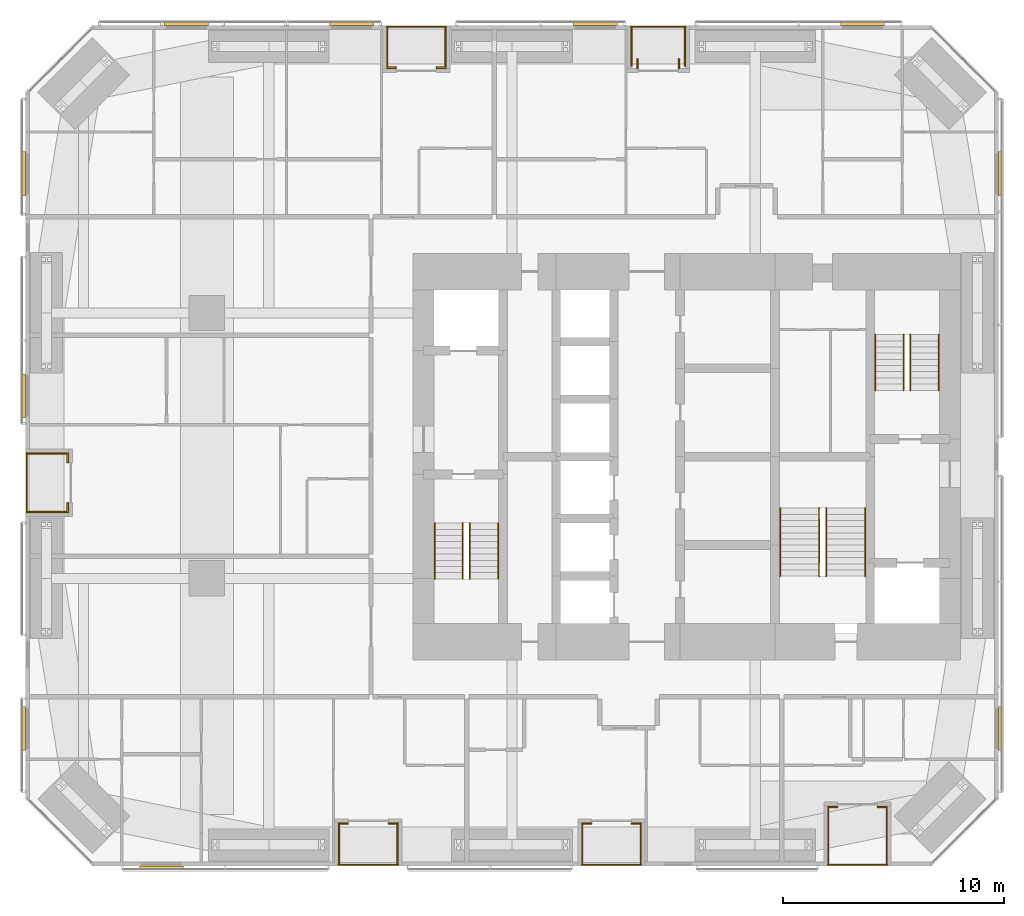
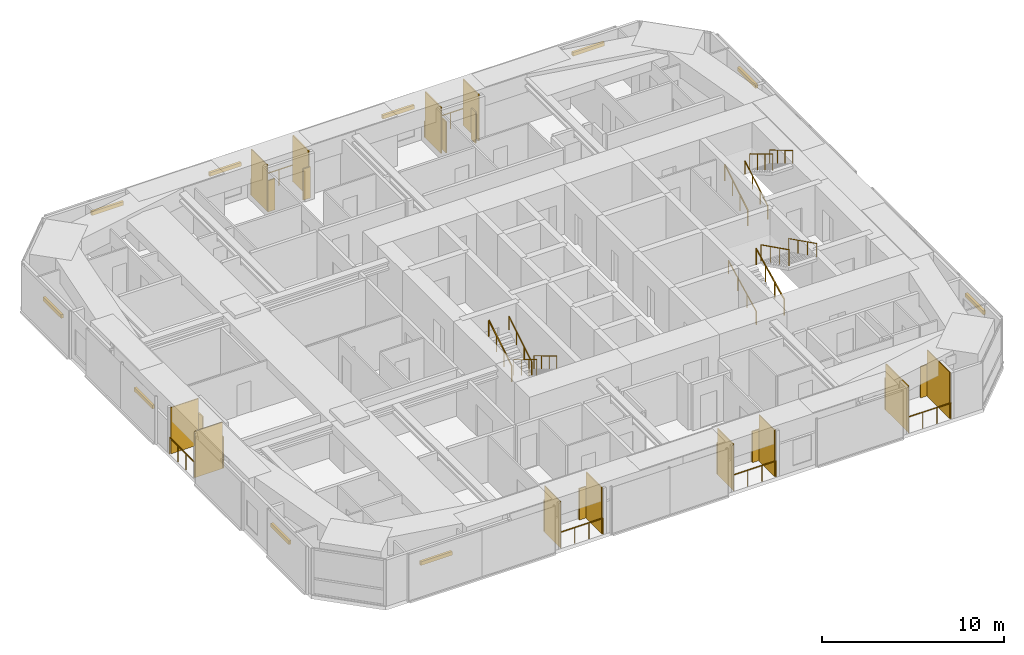
# One storey, part 23 of 23: 34 shading devices, 18 railings.
"""IFC4 building model written with IfcOpenShell, lengths in metres."""

from ifc_helpers import new_model, si_unit, direction, frame, origin, origin_2d, place, context, subcontext, project, spatial, rectangle, circle, extrude, material, layer, layer_set, constituent, constituent_set, type_object, element, save


model = new_model("IFC4")

# Units and contexts
model_context = context("Model", 3, precision=1e-05, world=origin(), true_north=direction((0.0, 1.0)))
body_context = subcontext(model_context, "Body", "Model", "MODEL_VIEW")
ifc_project = project(units=[si_unit("LENGTHUNIT", "METRE"), si_unit("AREAUNIT", "SQUARE_METRE"), si_unit("VOLUMEUNIT", "CUBIC_METRE"), si_unit("PLANEANGLEUNIT", "RADIAN"), si_unit("MASSUNIT", "GRAM", prefix="KILO")], contexts=[model_context])

# Site, building, storey
site_placement = place(None, origin())
site = spatial("IfcSite", under=ifc_project, at=site_placement, CompositionType="ELEMENT")
building_placement = place(site_placement, origin())
building = spatial("IfcBuilding", under=site, at=building_placement, Name="Jalousie Tower", CompositionType="ELEMENT")
storey_placement = place(building_placement, frame((0.0, 0.0, 37.75)))
storey = spatial("IfcBuildingStorey", under=building, at=storey_placement, Name="L09", CompositionType="ELEMENT", Elevation=37.75)

# Shading devices
ifc_material_1 = material(Name="Aluminium impact-rated louvred storm shutter", Category="aluminium")
shading_device_type_1 = type_object("IfcShadingDeviceType", Name="BI-FOLD STORM SHUTTER 900x2100", PredefinedType="SHUTTER", material=ifc_material_1)
for number, where, z_axis, x_axis, name in (
    (1, (16.375, 1.909912109375, 0.0), (0.0, 0.0, 1.0), (1.0, 0.0, 0.0), "Loggia storm shutter L09"),
    (2, (18.625, 1.909912109375, 0.0), (0.0, 0.0, 1.0), (1.0, 0.0, 0.0), "Loggia storm shutter L09"),
    (3, (27.375, 1.909912109375, 0.0), (0.0, 0.0, 1.0), (1.0, 0.0, 0.0), "Loggia storm shutter L09"),
    (4, (29.625, 1.909912109375, 0.0), (0.0, 0.0, 1.0), (1.0, 0.0, 0.0), "Loggia storm shutter L09"),
    (5, (38.5, 2.659912109375, 0.0), (0.0, 0.0, 1.0), (1.0, 0.0, 0.0), "Loggia storm shutter L09"),
    (6, (40.75, 2.659912109375, 0.0), (0.0, 0.0, 1.0), (1.0, 0.0, 0.0), "Loggia storm shutter L09"),
    (7, (31.552490234375, 36.27490234375, 0.0), (0.0, 0.0, 1.0), (0.0, -1.0, 0.0), "Loggia storm shutter L09"),
    (8, (29.672607421875, 36.27490234375, 0.0), (0.0, 0.0, 1.0), (0.0, -1.0, 0.0), "Loggia storm shutter L09"),
    (9, (20.800048828125, 36.090087890625, 0.0), (0.0, 0.0, 1.0), (-1.0, 0.0, 0.0), "Loggia storm shutter L09"),
    (10, (18.550048828125, 36.090087890625, 0.0), (0.0, 0.0, 1.0), (-1.0, 0.0, 0.0), "Loggia storm shutter L09"),
    (11, (3.909912109375, 18.449951171875, 0.0), (0.0, 0.0, 1.0), (0.0, -1.0, 0.0), "Loggia storm shutter L09"),
    (12, (3.909912109375, 16.199951171875, 0.0), (0.0, 0.0, 1.0), (0.0, -1.0, 0.0), "Loggia storm shutter L09"),
):
    element("IfcShadingDevice", number, at=place(storey_placement, frame(where, z_axis=z_axis, x_axis=x_axis)), inside=storey, type_object=shading_device_type_1, Name=name, PredefinedType="SHUTTER", context=body_context, shape_type="SweptSolid", body=[
        extrude(rectangle(XDim=0.449951171875, YDim=0.080078125, at=origin_2d()), origin(), (0.0, 0.0, 1.0), 2.10009765625),
    ])

# Railings
ifc_material_2 = material(Name="Powder-coated aluminium fretwork", Category="aluminium")
railing_type_1 = type_object("IfcRailingType", Name="FRETWORK BALUSTRADE 1100", PredefinedType="BALUSTRADE", material=ifc_material_2)
for number, where, name in (
    (13, (16.14990234375, 0.050048828125, 0.0), "Loggia fretwork balustrade L09"),
    (14, (27.14990234375, 0.050048828125, 0.0), "Loggia fretwork balustrade L09"),
    (15, (38.27490234375, 0.050048828125, 0.0), "Loggia fretwork balustrade L09"),
):
    element("IfcRailing", number, at=place(storey_placement, frame(where)), inside=storey, type_object=railing_type_1, Name=name, PredefinedType="BALUSTRADE", context=body_context, shape_type="SweptSolid", body=[
        extrude(rectangle(XDim=0.048095703125, YDim=0.048095703125, at=origin_2d()), frame((0.0, 0.0, 1.076171875), z_axis=(1.0, 0.0, 0.0), x_axis=(0.0, 1.0, 0.0)), (0.0, 0.0, 1.0), 2.7001953125),
        extrude(circle(Radius=0.02099609375, at=origin_2d()), origin(), (0.0, 0.0, 1.0), 1.052001953125),
        extrude(circle(Radius=0.02099609375, at=origin_2d()), frame((0.900146484375, 0.0, 0.0)), (0.0, 0.0, 1.0), 1.052001953125),
        extrude(circle(Radius=0.02099609375, at=origin_2d()), frame((1.800048828125, 0.0, 0.0)), (0.0, 0.0, 1.0), 1.052001953125),
        extrude(circle(Radius=0.02099609375, at=origin_2d()), frame((2.7001953125, 0.0, 0.0)), (0.0, 0.0, 1.0), 1.052001953125),
    ])
railing_1_placement = place(storey_placement, frame((31.85009765625, 37.949951171875, 0.0)))
element("IfcRailing", 16, at=railing_1_placement, inside=storey, type_object=railing_type_1, Name="Loggia fretwork balustrade L09", PredefinedType="BALUSTRADE", context=body_context, shape_type="SweptSolid", body=[
    extrude(rectangle(XDim=0.048095703125, YDim=0.048095703125, at=origin_2d()), frame((0.0, 0.0, 1.076171875), z_axis=(-1.0, 0.0, 0.0), x_axis=(0.0, -1.0, 0.0)), (0.0, 0.0, 1.0), 2.47509765625),
    extrude(circle(Radius=0.02099609375, at=origin_2d()), origin(), (0.0, 0.0, 1.0), 1.052001953125),
    extrude(circle(Radius=0.02099609375, at=origin_2d()), frame((-0.824951171875, 0.0, 0.0)), (0.0, 0.0, 1.0), 1.052001953125),
    extrude(circle(Radius=0.02099609375, at=origin_2d()), frame((-1.650146484375, 0.0, 0.0)), (0.0, 0.0, 1.0), 1.052001953125),
    extrude(circle(Radius=0.02099609375, at=origin_2d()), frame((-2.47509765625, 0.0, 0.0)), (0.0, 0.0, 1.0), 1.052001953125),
])
railing_2_placement = place(storey_placement, frame((21.02490234375, 37.949951171875, 0.0)))
element("IfcRailing", 17, at=railing_2_placement, inside=storey, type_object=railing_type_1, Name="Loggia fretwork balustrade L09", PredefinedType="BALUSTRADE", context=body_context, shape_type="SweptSolid", body=[
    extrude(rectangle(XDim=0.048095703125, YDim=0.048095703125, at=origin_2d()), frame((0.0, 0.0, 1.076171875), z_axis=(-1.0, 0.0, 0.0), x_axis=(0.0, -1.0, 0.0)), (0.0, 0.0, 1.0), 2.699951171875),
    extrude(circle(Radius=0.02099609375, at=origin_2d()), origin(), (0.0, 0.0, 1.0), 1.052001953125),
    extrude(circle(Radius=0.02099609375, at=origin_2d()), frame((-0.89990234375, 0.0, 0.0)), (0.0, 0.0, 1.0), 1.052001953125),
    extrude(circle(Radius=0.02099609375, at=origin_2d()), frame((-1.800048828125, 0.0, 0.0)), (0.0, 0.0, 1.0), 1.052001953125),
    extrude(circle(Radius=0.02099609375, at=origin_2d()), frame((-2.699951171875, 0.0, 0.0)), (0.0, 0.0, 1.0), 1.052001953125),
])
railing_3_placement = place(storey_placement, frame((2.050048828125, 18.675048828125, 0.0)))
element("IfcRailing", 18, at=railing_3_placement, inside=storey, type_object=railing_type_1, Name="Loggia fretwork balustrade L09", PredefinedType="BALUSTRADE", context=body_context, shape_type="SweptSolid", body=[
    extrude(rectangle(XDim=0.048095703125, YDim=0.048095703125, at=origin_2d()), frame((0.0, 0.0, 1.076171875), z_axis=(0.0, -1.0, 0.0), x_axis=(1.0, 0.0, 0.0)), (0.0, 0.0, 1.0), 2.699951171875),
    extrude(circle(Radius=0.02099609375, at=origin_2d()), origin(), (0.0, 0.0, 1.0), 1.052001953125),
    extrude(circle(Radius=0.02099609375, at=origin_2d()), frame((0.0, -0.89990234375, 0.0)), (0.0, 0.0, 1.0), 1.052001953125),
    extrude(circle(Radius=0.02099609375, at=origin_2d()), frame((0.0, -1.800048828125, 0.0)), (0.0, 0.0, 1.0), 1.052001953125),
    extrude(circle(Radius=0.02099609375, at=origin_2d()), frame((0.0, -2.699951171875, 0.0)), (0.0, 0.0, 1.0), 1.052001953125),
])

# Shading devices
ifc_material_3 = material(Name="Powder-coated aluminium louvres", Category="aluminium")
ifc_layer = layer(ifc_material_3, 0.06005859375)
ifc_layer_set = layer_set([ifc_layer], Name="Powder-coated aluminium louvres")
shading_device_type_2 = type_object("IfcShadingDeviceType", Name="JALOUSIE LOUVRE SCREEN", PredefinedType="JALOUSIE", material=ifc_layer_set)
for number, where, z_axis, x_axis, name in (
    (19, (16.179931640625, 0.97509765625, 0.0), (0.0, 0.0, 1.0), (1.0, 0.0, 0.0), "Loggia jalousie louvre screen L09"),
    (20, (18.820068359375, 0.97509765625, 0.0), (0.0, 0.0, 1.0), (1.0, 0.0, 0.0), "Loggia jalousie louvre screen L09"),
    (21, (27.179931640625, 0.97509765625, 0.0), (0.0, 0.0, 1.0), (1.0, 0.0, 0.0), "Loggia jalousie louvre screen L09"),
    (22, (29.820068359375, 0.97509765625, 0.0), (0.0, 0.0, 1.0), (1.0, 0.0, 0.0), "Loggia jalousie louvre screen L09"),
):
    element("IfcShadingDevice", number, at=place(storey_placement, frame(where, z_axis=z_axis, x_axis=x_axis)), inside=storey, type_object=shading_device_type_2, Name=name, PredefinedType="JALOUSIE", context=body_context, shape_type="SweptSolid", body=[
        extrude(rectangle(XDim=0.06005859375, YDim=1.75, at=origin_2d()), origin(), (0.0, 0.0, 1.0), 3.110107421875),
    ])
for number, where, z_axis, x_axis, name in (
    (23, (38.304931640625, 1.35009765625, 0.0), (0.0, 0.0, 1.0), (1.0, 0.0, 0.0), "Loggia jalousie louvre screen L09"),
    (24, (40.945068359375, 1.35009765625, 0.0), (0.0, 0.0, 1.0), (1.0, 0.0, 0.0), "Loggia jalousie louvre screen L09"),
):
    element("IfcShadingDevice", number, at=place(storey_placement, frame(where, z_axis=z_axis, x_axis=x_axis)), inside=storey, type_object=shading_device_type_2, Name=name, PredefinedType="JALOUSIE", context=body_context, shape_type="SweptSolid", body=[
        extrude(rectangle(XDim=0.06005859375, YDim=2.5, at=origin_2d()), origin(), (0.0, 0.0, 1.0), 3.110107421875),
    ])
for number, where, z_axis, x_axis, name in (
    (25, (31.820068359375, 37.02490234375, 0.0), (0.0, 0.0, 1.0), (-1.0, 0.0, 0.0), "Loggia jalousie louvre screen L09"),
    (26, (29.405029296875, 37.02490234375, 0.0), (0.0, 0.0, 1.0), (-1.0, 0.0, 0.0), "Loggia jalousie louvre screen L09"),
    (27, (20.9951171875, 37.02490234375, 0.0), (0.0, 0.0, 1.0), (-1.0, 0.0, 0.0), "Loggia jalousie louvre screen L09"),
    (28, (18.35498046875, 37.02490234375, 0.0), (0.0, 0.0, 1.0), (-1.0, 0.0, 0.0), "Loggia jalousie louvre screen L09"),
    (29, (2.97509765625, 18.64501953125, 0.0), (0.0, 0.0, 1.0), (0.0, -1.0, 0.0), "Loggia jalousie louvre screen L09"),
    (30, (2.97509765625, 16.0048828125, 0.0), (0.0, 0.0, 1.0), (0.0, -1.0, 0.0), "Loggia jalousie louvre screen L09"),
):
    element("IfcShadingDevice", number, at=place(storey_placement, frame(where, z_axis=z_axis, x_axis=x_axis)), inside=storey, type_object=shading_device_type_2, Name=name, PredefinedType="JALOUSIE", context=body_context, shape_type="SweptSolid", body=[
        extrude(rectangle(XDim=0.06005859375, YDim=1.75, at=origin_2d()), origin(), (0.0, 0.0, 1.0), 3.110107421875),
    ])

# Railings
ifc_material_4 = material(Name="Steel ASTM A500 Grade C", Category="steel")
ifc_constituent_1 = constituent(ifc_material_4, Name="Body")
ifc_material_5 = material(Name="Hot-dip galvanised zinc coating")
ifc_constituent_2 = constituent(ifc_material_5, Name="Finish")
ifc_constituent_set_1 = constituent_set(constituents=[ifc_constituent_1, ifc_constituent_2])
railing_type_2 = type_object("IfcRailingType", Name="STAIR GUARD 1100", PredefinedType="GUARDRAIL", material=ifc_constituent_set_1)
railing_4_placement = place(storey_placement, frame((22.092529296875, 15.49755859375, 0.16748046875)))
element("IfcRailing", 31, at=railing_4_placement, inside=storey, type_object=railing_type_2, Name="Exit stair A guard L09 flight 1", PredefinedType="GUARDRAIL", context=body_context, shape_type="SweptSolid", body=[
    extrude(rectangle(XDim=0.048095703125, YDim=0.048095703125, at=origin_2d()), frame((0.0, 0.0, 1.076171875), z_axis=(0.0, -0.858159760407, 0.513382728203), x_axis=(1.0, 0.0, 0.0)), (0.0, 0.0, 1.0), 2.9365234375),
    extrude(circle(Radius=0.02099609375, at=origin_2d()), origin(), (0.0, 0.0, 1.0), 1.052001953125),
    extrude(circle(Radius=0.02099609375, at=origin_2d()), frame((0.0, -0.840087890625, 0.50244140625)), (0.0, 0.0, 1.0), 1.052001953125),
    extrude(circle(Radius=0.02099609375, at=origin_2d()), frame((0.0, -1.679931640625, 1.005126953125)), (0.0, 0.0, 1.0), 1.052001953125),
    extrude(circle(Radius=0.02099609375, at=origin_2d()), frame((0.0, -2.52001953125, 1.507568359375)), (0.0, 0.0, 1.0), 1.052001953125),
])
for number, where, name in (
    (32, (20.5048828125, 12.9775390625, 1.842529296875), "Exit stair A guard L09 flight 2"),
    (33, (40.43017578125, 21.50244140625, 0.16748046875), "Exit stair B guard L09 flight 1"),
):
    element("IfcRailing", number, at=place(storey_placement, frame(where)), inside=storey, type_object=railing_type_2, Name=name, PredefinedType="GUARDRAIL", context=body_context, shape_type="SweptSolid", body=[
        extrude(rectangle(XDim=0.048095703125, YDim=0.048095703125, at=origin_2d()), frame((0.0, 0.0, 1.076171875), z_axis=(0.0, 0.858159760407, 0.513382728203), x_axis=(-1.0, 0.0, 0.0)), (0.0, 0.0, 1.0), 2.9365234375),
        extrude(circle(Radius=0.02099609375, at=origin_2d()), origin(), (0.0, 0.0, 1.0), 1.052001953125),
        extrude(circle(Radius=0.02099609375, at=origin_2d()), frame((0.0, 0.840087890625, 0.50244140625)), (0.0, 0.0, 1.0), 1.052001953125),
        extrude(circle(Radius=0.02099609375, at=origin_2d()), frame((0.0, 1.679931640625, 1.005126953125)), (0.0, 0.0, 1.0), 1.052001953125),
        extrude(circle(Radius=0.02099609375, at=origin_2d()), frame((0.0, 2.52001953125, 1.507568359375)), (0.0, 0.0, 1.0), 1.052001953125),
    ])
railing_5_placement = place(storey_placement, frame((42.017578125, 24.0224609375, 1.842529296875)))
element("IfcRailing", 34, at=railing_5_placement, inside=storey, type_object=railing_type_2, Name="Exit stair B guard L09 flight 2", PredefinedType="GUARDRAIL", context=body_context, shape_type="SweptSolid", body=[
    extrude(rectangle(XDim=0.048095703125, YDim=0.048095703125, at=origin_2d()), frame((0.0, 0.0, 1.076171875), z_axis=(0.0, -0.858159760407, 0.513382728203), x_axis=(1.0, 0.0, 0.0)), (0.0, 0.0, 1.0), 2.9365234375),
    extrude(circle(Radius=0.02099609375, at=origin_2d()), origin(), (0.0, 0.0, 1.0), 1.052001953125),
    extrude(circle(Radius=0.02099609375, at=origin_2d()), frame((0.0, -0.840087890625, 0.50244140625)), (0.0, 0.0, 1.0), 1.052001953125),
    extrude(circle(Radius=0.02099609375, at=origin_2d()), frame((0.0, -1.679931640625, 1.005126953125)), (0.0, 0.0, 1.0), 1.052001953125),
    extrude(circle(Radius=0.02099609375, at=origin_2d()), frame((0.0, -2.52001953125, 1.507568359375)), (0.0, 0.0, 1.0), 1.052001953125),
])
railing_6_placement = place(storey_placement, frame((37.89501953125, 13.097412109375, 0.1396484375)))
element("IfcRailing", 35, at=railing_6_placement, inside=storey, type_object=railing_type_2, Name="Exit stair C guard L09 flight 1", PredefinedType="GUARDRAIL", context=body_context, shape_type="SweptSolid", body=[
    extrude(rectangle(XDim=0.048095703125, YDim=0.048095703125, at=origin_2d()), frame((0.0, 0.0, 1.076171875), z_axis=(0.0, 0.894965676997, 0.446134998624), x_axis=(-1.0, 0.0, 0.0)), (0.0, 0.0, 1.0), 3.441650390625),
    extrude(circle(Radius=0.02099609375, at=origin_2d()), origin(), (0.0, 0.0, 1.0), 1.052001953125),
    extrude(circle(Radius=0.02099609375, at=origin_2d()), frame((0.0, 1.026611328125, 0.51171875)), (0.0, 0.0, 1.0), 1.052001953125),
    extrude(circle(Radius=0.02099609375, at=origin_2d()), frame((0.0, 2.053466796875, 1.023681640625)), (0.0, 0.0, 1.0), 1.052001953125),
    extrude(circle(Radius=0.02099609375, at=origin_2d()), frame((0.0, 3.080078125, 1.535400390625)), (0.0, 0.0, 1.0), 1.052001953125),
])
railing_7_placement = place(storey_placement, frame((38.205078125, 16.177490234375, 1.814697265625)))
element("IfcRailing", 36, at=railing_7_placement, inside=storey, type_object=railing_type_2, Name="Exit stair C guard L09 flight 2", PredefinedType="GUARDRAIL", context=body_context, shape_type="SweptSolid", body=[
    extrude(rectangle(XDim=0.048095703125, YDim=0.048095703125, at=origin_2d()), frame((0.0, 0.0, 1.076171875), z_axis=(0.0, -0.894965676997, 0.446134998624), x_axis=(1.0, 0.0, 0.0)), (0.0, 0.0, 1.0), 3.441650390625),
    extrude(circle(Radius=0.02099609375, at=origin_2d()), origin(), (0.0, 0.0, 1.0), 1.052001953125),
    extrude(circle(Radius=0.02099609375, at=origin_2d()), frame((0.0, -1.026611328125, 0.51171875)), (0.0, 0.0, 1.0), 1.052001953125),
    extrude(circle(Radius=0.02099609375, at=origin_2d()), frame((0.0, -2.053466796875, 1.023681640625)), (0.0, 0.0, 1.0), 1.052001953125),
    extrude(circle(Radius=0.02099609375, at=origin_2d()), frame((0.0, -3.080078125, 1.535400390625)), (0.0, 0.0, 1.0), 1.052001953125),
])
ifc_material_6 = material(Name="Steel ASTM A500 Grade C", Category="steel")
ifc_constituent_3 = constituent(ifc_material_6, Name="Body")
ifc_material_7 = material(Name="Hot-dip galvanised zinc coating")
ifc_constituent_4 = constituent(ifc_material_7, Name="Finish")
ifc_constituent_set_2 = constituent_set(constituents=[ifc_constituent_3, ifc_constituent_4])
railing_type_3 = type_object("IfcRailingType", Name="STAIR HANDRAIL 900", PredefinedType="HANDRAIL", material=ifc_constituent_set_2)
railing_8_placement = place(storey_placement, frame((23.3701171875, 15.49755859375, 0.16748046875)))
element("IfcRailing", 37, at=railing_8_placement, inside=storey, type_object=railing_type_3, Name="Exit stair A handrail L09 flight 1", PredefinedType="HANDRAIL", context=body_context, shape_type="SweptSolid", body=[
    extrude(circle(Radius=0.02392578125, at=origin_2d()), frame((0.0, 0.0, 0.8759765625), z_axis=(0.0, -0.858159760407, 0.513382728203), x_axis=(1.0, 0.0, 0.0)), (0.0, 0.0, 1.0), 2.9365234375),
    extrude(circle(Radius=0.02099609375, at=origin_2d()), origin(), (0.0, 0.0, 1.0), 0.851806640625),
    extrude(circle(Radius=0.02099609375, at=origin_2d()), frame((0.0, -0.840087890625, 0.50244140625)), (0.0, 0.0, 1.0), 0.851806640625),
    extrude(circle(Radius=0.02099609375, at=origin_2d()), frame((0.0, -1.679931640625, 1.005126953125)), (0.0, 0.0, 1.0), 0.851806640625),
    extrude(circle(Radius=0.02099609375, at=origin_2d()), frame((0.0, -2.52001953125, 1.507568359375)), (0.0, 0.0, 1.0), 0.851806640625),
])
for number, where, name in (
    (38, (21.78271484375, 12.9775390625, 1.842529296875), "Exit stair A handrail L09 flight 2"),
    (39, (41.70751953125, 21.50244140625, 0.16748046875), "Exit stair B handrail L09 flight 1"),
):
    element("IfcRailing", number, at=place(storey_placement, frame(where)), inside=storey, type_object=railing_type_3, Name=name, PredefinedType="HANDRAIL", context=body_context, shape_type="SweptSolid", body=[
        extrude(circle(Radius=0.02392578125, at=origin_2d()), frame((0.0, 0.0, 0.8759765625), z_axis=(0.0, 0.858159760407, 0.513382728203), x_axis=(-1.0, 0.0, 0.0)), (0.0, 0.0, 1.0), 2.9365234375),
        extrude(circle(Radius=0.02099609375, at=origin_2d()), origin(), (0.0, 0.0, 1.0), 0.851806640625),
        extrude(circle(Radius=0.02099609375, at=origin_2d()), frame((0.0, 0.840087890625, 0.50244140625)), (0.0, 0.0, 1.0), 0.851806640625),
        extrude(circle(Radius=0.02099609375, at=origin_2d()), frame((0.0, 1.679931640625, 1.005126953125)), (0.0, 0.0, 1.0), 0.851806640625),
        extrude(circle(Radius=0.02099609375, at=origin_2d()), frame((0.0, 2.52001953125, 1.507568359375)), (0.0, 0.0, 1.0), 0.851806640625),
    ])
railing_9_placement = place(storey_placement, frame((43.294921875, 24.0224609375, 1.842529296875)))
element("IfcRailing", 40, at=railing_9_placement, inside=storey, type_object=railing_type_3, Name="Exit stair B handrail L09 flight 2", PredefinedType="HANDRAIL", context=body_context, shape_type="SweptSolid", body=[
    extrude(circle(Radius=0.02392578125, at=origin_2d()), frame((0.0, 0.0, 0.8759765625), z_axis=(0.0, -0.858159760407, 0.513382728203), x_axis=(1.0, 0.0, 0.0)), (0.0, 0.0, 1.0), 2.9365234375),
    extrude(circle(Radius=0.02099609375, at=origin_2d()), origin(), (0.0, 0.0, 1.0), 0.851806640625),
    extrude(circle(Radius=0.02099609375, at=origin_2d()), frame((0.0, -0.840087890625, 0.50244140625)), (0.0, 0.0, 1.0), 0.851806640625),
    extrude(circle(Radius=0.02099609375, at=origin_2d()), frame((0.0, -1.679931640625, 1.005126953125)), (0.0, 0.0, 1.0), 0.851806640625),
    extrude(circle(Radius=0.02099609375, at=origin_2d()), frame((0.0, -2.52001953125, 1.507568359375)), (0.0, 0.0, 1.0), 0.851806640625),
])
railing_10_placement = place(storey_placement, frame((36.1298828125, 13.097412109375, 0.1396484375)))
element("IfcRailing", 41, at=railing_10_placement, inside=storey, type_object=railing_type_3, Name="Exit stair C handrail L09 flight 1", PredefinedType="HANDRAIL", context=body_context, shape_type="SweptSolid", body=[
    extrude(circle(Radius=0.02392578125, at=origin_2d()), frame((0.0, 0.0, 0.8759765625), z_axis=(0.0, 0.894965676997, 0.446134998624), x_axis=(-1.0, 0.0, 0.0)), (0.0, 0.0, 1.0), 3.441650390625),
    extrude(circle(Radius=0.02099609375, at=origin_2d()), origin(), (0.0, 0.0, 1.0), 0.851806640625),
    extrude(circle(Radius=0.02099609375, at=origin_2d()), frame((0.0, 1.026611328125, 0.51171875)), (0.0, 0.0, 1.0), 0.851806640625),
    extrude(circle(Radius=0.02099609375, at=origin_2d()), frame((0.0, 2.053466796875, 1.023681640625)), (0.0, 0.0, 1.0), 0.851806640625),
    extrude(circle(Radius=0.02099609375, at=origin_2d()), frame((0.0, 3.080078125, 1.535400390625)), (0.0, 0.0, 1.0), 0.851806640625),
])
railing_11_placement = place(storey_placement, frame((39.969970703125, 16.177490234375, 1.814697265625)))
element("IfcRailing", 42, at=railing_11_placement, inside=storey, type_object=railing_type_3, Name="Exit stair C handrail L09 flight 2", PredefinedType="HANDRAIL", context=body_context, shape_type="SweptSolid", body=[
    extrude(circle(Radius=0.02392578125, at=origin_2d()), frame((0.0, 0.0, 0.8759765625), z_axis=(0.0, -0.894965676997, 0.446134998624), x_axis=(1.0, 0.0, 0.0)), (0.0, 0.0, 1.0), 3.441650390625),
    extrude(circle(Radius=0.02099609375, at=origin_2d()), origin(), (0.0, 0.0, 1.0), 0.851806640625),
    extrude(circle(Radius=0.02099609375, at=origin_2d()), frame((0.0, -1.026611328125, 0.51171875)), (0.0, 0.0, 1.0), 0.851806640625),
    extrude(circle(Radius=0.02099609375, at=origin_2d()), frame((0.0, -2.053466796875, 1.023681640625)), (0.0, 0.0, 1.0), 0.851806640625),
    extrude(circle(Radius=0.02099609375, at=origin_2d()), frame((0.0, -3.080078125, 1.535400390625)), (0.0, 0.0, 1.0), 0.851806640625),
])

# Shading devices
ifc_material_8 = material(Name="Aluminium roller storm shutter", Category="aluminium")
shading_device_type_3 = type_object("IfcShadingDeviceType", Name="STORM SHUTTER HOUSING", PredefinedType="SHUTTER", material=ifc_material_8)
for number, where, z_axis, x_axis, name in (
    (43, (8.14990234375, -0.074951171875, 2.10009765625), (0.0, 0.0, 1.0), (1.0, 0.0, 0.0), "Storm shutter L09"),
    (44, (46.074951171875, 6.208740234375, 2.10009765625), (0.0, 0.0, 1.0), (0.0, 1.0, 0.0), "Storm shutter L09"),
    (45, (46.074951171875, 31.291259765625, 2.10009765625), (0.0, 0.0, 1.0), (0.0, 1.0, 0.0), "Storm shutter L09"),
    (46, (39.85009765625, 38.074951171875, 2.10009765625), (0.0, 0.0, 1.0), (-1.0, 0.0, 0.0), "Storm shutter L09"),
    (47, (27.76611328125, 38.074951171875, 2.10009765625), (0.0, 0.0, 1.0), (-1.0, 0.0, 0.0), "Storm shutter L09"),
    (48, (16.757568359375, 38.074951171875, 2.10009765625), (0.0, 0.0, 1.0), (-1.0, 0.0, 0.0), "Storm shutter L09"),
    (49, (9.27001953125, 38.074951171875, 2.10009765625), (0.0, 0.0, 1.0), (-1.0, 0.0, 0.0), "Storm shutter L09"),
    (50, (1.925048828125, 31.291259765625, 2.10009765625), (0.0, 0.0, 1.0), (0.0, -1.0, 0.0), "Storm shutter L09"),
    (51, (1.925048828125, 21.25, 2.10009765625), (0.0, 0.0, 1.0), (0.0, -1.0, 0.0), "Storm shutter L09"),
    (52, (1.925048828125, 6.208740234375, 2.10009765625), (0.0, 0.0, 1.0), (0.0, -1.0, 0.0), "Storm shutter L09"),
):
    element("IfcShadingDevice", number, at=place(storey_placement, frame(where, z_axis=z_axis, x_axis=x_axis)), inside=storey, type_object=shading_device_type_3, Name=name, PredefinedType="SHUTTER", context=body_context, shape_type="SweptSolid", body=[
        extrude(rectangle(XDim=2.0, YDim=0.14990234375, at=origin_2d()), origin(), (0.0, 0.0, 1.0), 0.25),
    ])

save(model, "model.ifc")
